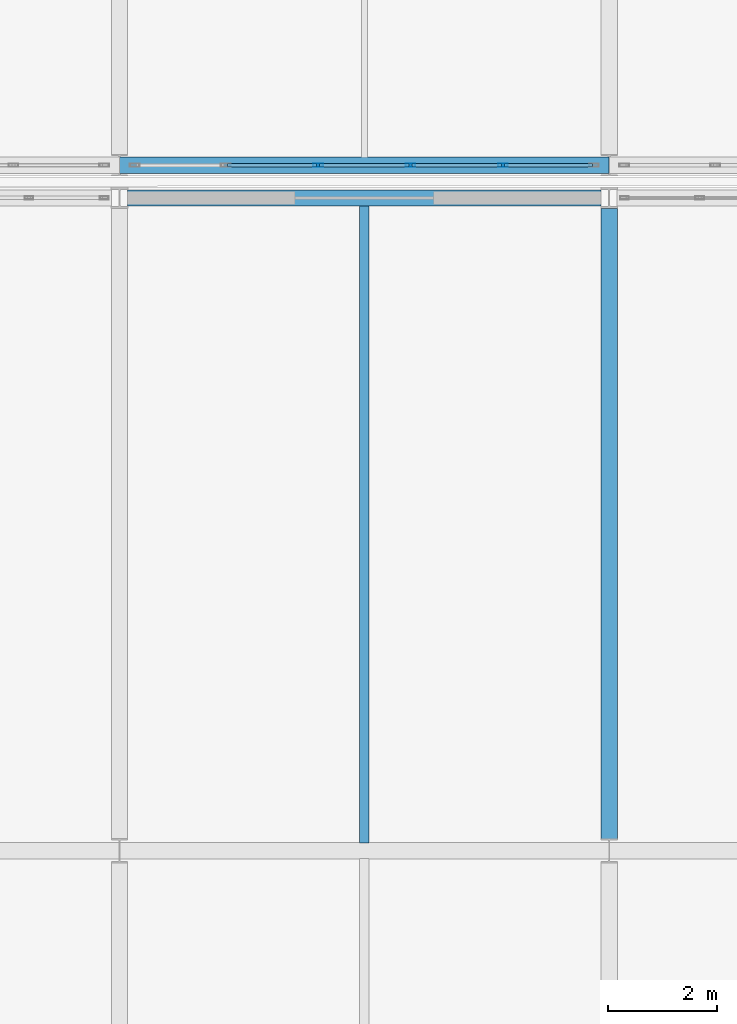
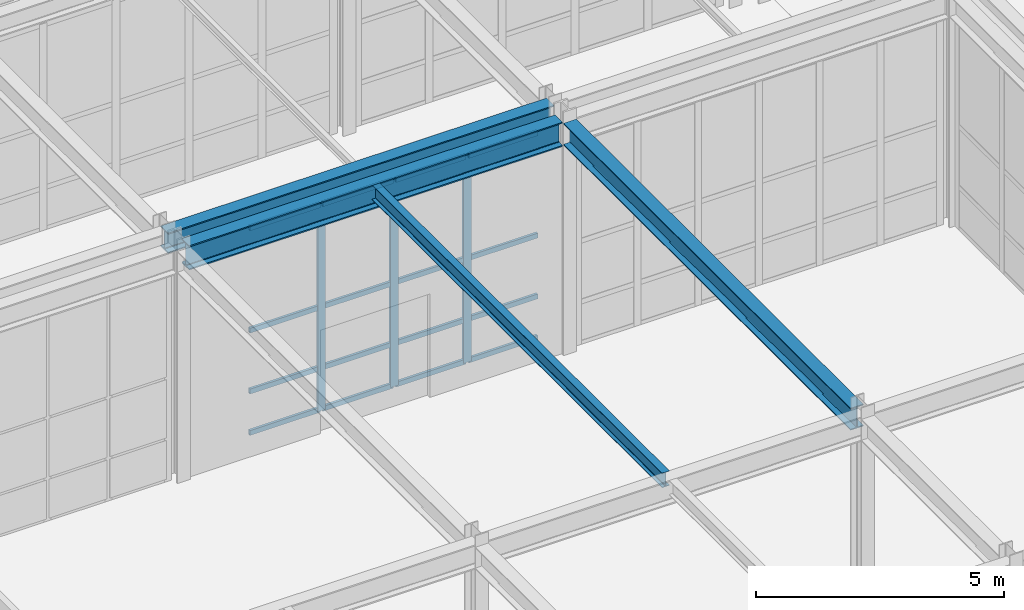
# One storey, part 44 of 146: 19 members, 4 beams, 1 element without a shape of its own.
"""IFC4 building model written with IfcOpenShell, lengths in metres."""

from ifc_helpers import new_model, si_unit, direction, frame, origin, origin_2d, place, context, subcontext, project, spatial, hollow_rectangle, i_section, extrude, material, material_profile, profile_set, type_object, element, aggregate, save


model = new_model("IFC4")

# Units and contexts
model_context = context("Model", 3, precision=1e-05, world=origin(), true_north=direction((0.0, 1.0)))
body_context = subcontext(model_context, "Body", "Model", "MODEL_VIEW")
ifc_project = project(units=[si_unit("LENGTHUNIT", "METRE"), si_unit("AREAUNIT", "SQUARE_METRE"), si_unit("VOLUMEUNIT", "CUBIC_METRE"), si_unit("PLANEANGLEUNIT", "RADIAN"), si_unit("MASSUNIT", "GRAM", prefix="KILO")], contexts=[model_context])

# Site, building, storey
site_placement = place(None, origin())
site = spatial("IfcSite", under=ifc_project, at=site_placement, CompositionType="ELEMENT")
building_placement = place(site_placement, origin())
building = spatial("IfcBuilding", under=site, at=building_placement, Name="Kaldris Quays Convention Centre", CompositionType="ELEMENT")
storey_placement = place(building_placement, origin())
storey = spatial("IfcBuildingStorey", under=building, at=storey_placement, Name="L00", CompositionType="ELEMENT", Elevation=0.0)

# Curtain wall, members
ifc_material_1 = material(Name="Anodized aluminium AW-6060 and triple glazing", Category="aluminium")
curtain_wall_type = type_object("IfcCurtainWallType", Name="UNITISED CURTAIN WALL CW02", PredefinedType="NOTDEFINED", material=ifc_material_1)
curtain_wall_placement = place(storey_placement, origin())
curtain_wall = element("IfcCurtainWall", 1, at=curtain_wall_placement, inside=storey, type_object=curtain_wall_type, Name="L00 Unitised Curtain Wall CW02 86", PredefinedType="NOTDEFINED")
ifc_material_2 = material(Name="Anodized aluminium AW-6060", Category="aluminium")
ifc_material_profile_1 = material_profile(ifc_material_2, hollow_rectangle(XDim=0.06005859375, YDim=0.179931640625, WallThickness=0.0048828125, at=origin_2d()), Name="RHS 180x60x5")
ifc_profile_set_1 = profile_set([ifc_material_profile_1], Name="Anodized aluminium AW-6060")
member_type_1 = type_object("IfcMemberType", Name="CURTAIN MULLION CWM2", PredefinedType="MULLION", material=ifc_profile_set_1)
member_1_placement = place(storey_placement, frame((68.64990234375, 46.60009765625, 0.0), z_axis=(0.0, 0.0, 1.0), x_axis=(0.0, 1.0, 0.0)))
member_1 = element("IfcMember", 2, at=member_1_placement, type_object=member_type_1, Name="CW02 mullion 3", PredefinedType="MULLION", context=body_context, shape_type="SweptSolid", body=[
    extrude(hollow_rectangle(XDim=0.06005859375, YDim=0.179931640625, WallThickness=0.0048828125, at=origin_2d()), origin(), (0.0, 0.0, 1.0), 5.10009765625),
])
member_2_placement = place(storey_placement, frame((70.35009765625, 46.60009765625, 0.0), z_axis=(0.0, 0.0, 1.0), x_axis=(0.0, 1.0, 0.0)))
member_2 = element("IfcMember", 3, at=member_2_placement, type_object=member_type_1, Name="CW02 mullion 4", PredefinedType="MULLION", context=body_context, shape_type="SweptSolid", body=[
    extrude(hollow_rectangle(XDim=0.06005859375, YDim=0.179931640625, WallThickness=0.0048828125, at=origin_2d()), origin(), (0.0, 0.0, 1.0), 5.10009765625),
])
member_3_placement = place(storey_placement, frame((72.050048828125, 46.60009765625, 0.0), z_axis=(0.0, 0.0, 1.0), x_axis=(0.0, 1.0, 0.0)))
member_3 = element("IfcMember", 4, at=member_3_placement, type_object=member_type_1, Name="CW02 mullion 5", PredefinedType="MULLION", context=body_context, shape_type="SweptSolid", body=[
    extrude(hollow_rectangle(XDim=0.06005859375, YDim=0.179931640625, WallThickness=0.0048828125, at=origin_2d()), origin(), (0.0, 0.0, 1.0), 5.10009765625),
])
ifc_material_profile_2 = material_profile(ifc_material_2, hollow_rectangle(XDim=0.06005859375, YDim=0.1201171875, WallThickness=0.00390625, at=origin_2d()), Name="RHS 120x60x4")
ifc_profile_set_2 = profile_set([ifc_material_profile_2], Name="Anodized aluminium AW-6060")
member_type_2 = type_object("IfcMemberType", Name="CURTAIN TRANSOM CWT1", PredefinedType="USERDEFINED", material=ifc_profile_set_2)
member_4_placement = place(storey_placement, frame((66.97998046875, 46.60009765625, 0.030029296875), z_axis=(1.0, 0.0, 0.0), x_axis=(0.0, 1.0, 0.0)))
member_4 = element("IfcMember", 5, at=member_4_placement, type_object=member_type_2, Name="CW02 transom 2.1", ObjectType="TRANSOM", PredefinedType="USERDEFINED", context=body_context, shape_type="SweptSolid", body=[
    extrude(hollow_rectangle(XDim=0.06005859375, YDim=0.1201171875, WallThickness=0.00390625, at=origin_2d()), origin(), (0.0, 0.0, 1.0), 1.64013671875),
])
member_5_placement = place(storey_placement, frame((66.97998046875, 46.60009765625, 1.050048828125), z_axis=(1.0, 0.0, 0.0), x_axis=(0.0, 1.0, 0.0)))
member_5 = element("IfcMember", 6, at=member_5_placement, type_object=member_type_2, Name="CW02 transom 2.2", ObjectType="TRANSOM", PredefinedType="USERDEFINED", context=body_context, shape_type="SweptSolid", body=[
    extrude(hollow_rectangle(XDim=0.06005859375, YDim=0.1201171875, WallThickness=0.00390625, at=origin_2d()), origin(), (0.0, 0.0, 1.0), 1.64013671875),
])
member_6_placement = place(storey_placement, frame((66.97998046875, 46.60009765625, 2.550048828125), z_axis=(1.0, 0.0, 0.0), x_axis=(0.0, 1.0, 0.0)))
member_6 = element("IfcMember", 7, at=member_6_placement, type_object=member_type_2, Name="CW02 transom 2.3", ObjectType="TRANSOM", PredefinedType="USERDEFINED", context=body_context, shape_type="SweptSolid", body=[
    extrude(hollow_rectangle(XDim=0.06005859375, YDim=0.1201171875, WallThickness=0.00390625, at=origin_2d()), origin(), (0.0, 0.0, 1.0), 1.64013671875),
])
member_7_placement = place(storey_placement, frame((66.97998046875, 46.60009765625, 5.070068359375), z_axis=(1.0, 0.0, 0.0), x_axis=(0.0, 1.0, 0.0)))
member_7 = element("IfcMember", 8, at=member_7_placement, type_object=member_type_2, Name="CW02 transom 2.4", ObjectType="TRANSOM", PredefinedType="USERDEFINED", context=body_context, shape_type="SweptSolid", body=[
    extrude(hollow_rectangle(XDim=0.06005859375, YDim=0.1201171875, WallThickness=0.00390625, at=origin_2d()), origin(), (0.0, 0.0, 1.0), 1.64013671875),
])
member_8_placement = place(storey_placement, frame((68.679931640625, 46.60009765625, 0.030029296875), z_axis=(1.0, 0.0, 0.0), x_axis=(0.0, 1.0, 0.0)))
member_8 = element("IfcMember", 9, at=member_8_placement, type_object=member_type_2, Name="CW02 transom 3.1", ObjectType="TRANSOM", PredefinedType="USERDEFINED", context=body_context, shape_type="SweptSolid", body=[
    extrude(hollow_rectangle(XDim=0.06005859375, YDim=0.1201171875, WallThickness=0.00390625, at=origin_2d()), origin(), (0.0, 0.0, 1.0), 1.64013671875),
])
member_9_placement = place(storey_placement, frame((68.679931640625, 46.60009765625, 1.050048828125), z_axis=(1.0, 0.0, 0.0), x_axis=(0.0, 1.0, 0.0)))
member_9 = element("IfcMember", 10, at=member_9_placement, type_object=member_type_2, Name="CW02 transom 3.2", ObjectType="TRANSOM", PredefinedType="USERDEFINED", context=body_context, shape_type="SweptSolid", body=[
    extrude(hollow_rectangle(XDim=0.06005859375, YDim=0.1201171875, WallThickness=0.00390625, at=origin_2d()), origin(), (0.0, 0.0, 1.0), 1.64013671875),
])
member_10_placement = place(storey_placement, frame((68.679931640625, 46.60009765625, 2.550048828125), z_axis=(1.0, 0.0, 0.0), x_axis=(0.0, 1.0, 0.0)))
member_10 = element("IfcMember", 11, at=member_10_placement, type_object=member_type_2, Name="CW02 transom 3.3", ObjectType="TRANSOM", PredefinedType="USERDEFINED", context=body_context, shape_type="SweptSolid", body=[
    extrude(hollow_rectangle(XDim=0.06005859375, YDim=0.1201171875, WallThickness=0.00390625, at=origin_2d()), origin(), (0.0, 0.0, 1.0), 1.64013671875),
])
member_11_placement = place(storey_placement, frame((68.679931640625, 46.60009765625, 5.070068359375), z_axis=(1.0, 0.0, 0.0), x_axis=(0.0, 1.0, 0.0)))
member_11 = element("IfcMember", 12, at=member_11_placement, type_object=member_type_2, Name="CW02 transom 3.4", ObjectType="TRANSOM", PredefinedType="USERDEFINED", context=body_context, shape_type="SweptSolid", body=[
    extrude(hollow_rectangle(XDim=0.06005859375, YDim=0.1201171875, WallThickness=0.00390625, at=origin_2d()), origin(), (0.0, 0.0, 1.0), 1.64013671875),
])
member_12_placement = place(storey_placement, frame((70.3798828125, 46.60009765625, 0.030029296875), z_axis=(1.0, 0.0, 0.0), x_axis=(0.0, 1.0, 0.0)))
member_12 = element("IfcMember", 13, at=member_12_placement, type_object=member_type_2, Name="CW02 transom 4.1", ObjectType="TRANSOM", PredefinedType="USERDEFINED", context=body_context, shape_type="SweptSolid", body=[
    extrude(hollow_rectangle(XDim=0.06005859375, YDim=0.1201171875, WallThickness=0.00390625, at=origin_2d()), origin(), (0.0, 0.0, 1.0), 1.64013671875),
])
member_13_placement = place(storey_placement, frame((70.3798828125, 46.60009765625, 1.050048828125), z_axis=(1.0, 0.0, 0.0), x_axis=(0.0, 1.0, 0.0)))
member_13 = element("IfcMember", 14, at=member_13_placement, type_object=member_type_2, Name="CW02 transom 4.2", ObjectType="TRANSOM", PredefinedType="USERDEFINED", context=body_context, shape_type="SweptSolid", body=[
    extrude(hollow_rectangle(XDim=0.06005859375, YDim=0.1201171875, WallThickness=0.00390625, at=origin_2d()), origin(), (0.0, 0.0, 1.0), 1.64013671875),
])
member_14_placement = place(storey_placement, frame((70.3798828125, 46.60009765625, 2.550048828125), z_axis=(1.0, 0.0, 0.0), x_axis=(0.0, 1.0, 0.0)))
member_14 = element("IfcMember", 15, at=member_14_placement, type_object=member_type_2, Name="CW02 transom 4.3", ObjectType="TRANSOM", PredefinedType="USERDEFINED", context=body_context, shape_type="SweptSolid", body=[
    extrude(hollow_rectangle(XDim=0.06005859375, YDim=0.1201171875, WallThickness=0.00390625, at=origin_2d()), origin(), (0.0, 0.0, 1.0), 1.64013671875),
])
member_15_placement = place(storey_placement, frame((70.3798828125, 46.60009765625, 5.070068359375), z_axis=(1.0, 0.0, 0.0), x_axis=(0.0, 1.0, 0.0)))
member_15 = element("IfcMember", 16, at=member_15_placement, type_object=member_type_2, Name="CW02 transom 4.4", ObjectType="TRANSOM", PredefinedType="USERDEFINED", context=body_context, shape_type="SweptSolid", body=[
    extrude(hollow_rectangle(XDim=0.06005859375, YDim=0.1201171875, WallThickness=0.00390625, at=origin_2d()), origin(), (0.0, 0.0, 1.0), 1.64013671875),
])
member_16_placement = place(storey_placement, frame((72.080078125, 46.60009765625, 0.030029296875), z_axis=(1.0, 0.0, 0.0), x_axis=(0.0, 1.0, 0.0)))
member_16 = element("IfcMember", 17, at=member_16_placement, type_object=member_type_2, Name="CW02 transom 5.1", ObjectType="TRANSOM", PredefinedType="USERDEFINED", context=body_context, shape_type="SweptSolid", body=[
    extrude(hollow_rectangle(XDim=0.06005859375, YDim=0.1201171875, WallThickness=0.00390625, at=origin_2d()), origin(), (0.0, 0.0, 1.0), 1.60986328125),
])
member_17_placement = place(storey_placement, frame((72.080078125, 46.60009765625, 1.050048828125), z_axis=(1.0, 0.0, 0.0), x_axis=(0.0, 1.0, 0.0)))
member_17 = element("IfcMember", 18, at=member_17_placement, type_object=member_type_2, Name="CW02 transom 5.2", ObjectType="TRANSOM", PredefinedType="USERDEFINED", context=body_context, shape_type="SweptSolid", body=[
    extrude(hollow_rectangle(XDim=0.06005859375, YDim=0.1201171875, WallThickness=0.00390625, at=origin_2d()), origin(), (0.0, 0.0, 1.0), 1.60986328125),
])
member_18_placement = place(storey_placement, frame((72.080078125, 46.60009765625, 2.550048828125), z_axis=(1.0, 0.0, 0.0), x_axis=(0.0, 1.0, 0.0)))
member_18 = element("IfcMember", 19, at=member_18_placement, type_object=member_type_2, Name="CW02 transom 5.3", ObjectType="TRANSOM", PredefinedType="USERDEFINED", context=body_context, shape_type="SweptSolid", body=[
    extrude(hollow_rectangle(XDim=0.06005859375, YDim=0.1201171875, WallThickness=0.00390625, at=origin_2d()), origin(), (0.0, 0.0, 1.0), 1.60986328125),
])
member_19_placement = place(storey_placement, frame((72.080078125, 46.60009765625, 5.070068359375), z_axis=(1.0, 0.0, 0.0), x_axis=(0.0, 1.0, 0.0)))
member_19 = element("IfcMember", 20, at=member_19_placement, type_object=member_type_2, Name="CW02 transom 5.4", ObjectType="TRANSOM", PredefinedType="USERDEFINED", context=body_context, shape_type="SweptSolid", body=[
    extrude(hollow_rectangle(XDim=0.06005859375, YDim=0.1201171875, WallThickness=0.00390625, at=origin_2d()), origin(), (0.0, 0.0, 1.0), 1.60986328125),
])
aggregate(curtain_wall, [member_1, member_2, member_3, member_4, member_5, member_6, member_7, member_8, member_9, member_10, member_11, member_12, member_13, member_14, member_15, member_16, member_17, member_18, member_19])

# Beams
ifc_material_3 = material(Name="Steel S355J2", Category="steel")
ifc_material_profile_3 = material_profile(ifc_material_3, i_section(OverallWidth=0.300048828125, OverallDepth=0.60009765625, WebThickness=0.015380859375, FlangeThickness=0.030029296875, FilletRadius=0.027099609375, at=origin_2d()), Name="HEB 600")
ifc_profile_set_3 = profile_set([ifc_material_profile_3], Name="Steel S355J2")
beam_type_1 = type_object("IfcBeamType", Name="STRUCTURAL BEAM BM05", PredefinedType="BEAM", material=ifc_profile_set_3)
beam_1_placement = place(storey_placement, frame((65.14794921875, 46.0, 5.423095703125), z_axis=(1.0, 0.0, 0.0), x_axis=(0.0, 1.0, 0.0)))
element("IfcBeam", 21, at=beam_1_placement, inside=storey, type_object=beam_type_1, Name="L00 Girder BM05 25", PredefinedType="BEAM", context=body_context, shape_type="SweptSolid", body=[
    extrude(i_section(OverallWidth=0.300048828125, OverallDepth=0.60009765625, WebThickness=0.015380859375, FlangeThickness=0.030029296875, FilletRadius=0.027099609375, at=origin_2d()), origin(), (0.0, 0.0, 1.0), 8.7041015625),
])
ifc_material_profile_4 = material_profile(ifc_material_3, i_section(OverallWidth=0.300048828125, OverallDepth=0.5, WebThickness=0.014404296875, FlangeThickness=0.028076171875, FilletRadius=0.027099609375, at=origin_2d()), Name="HEB 500")
ifc_profile_set_4 = profile_set([ifc_material_profile_4], Name="Steel S355J2")
beam_type_2 = type_object("IfcBeamType", Name="STRUCTURAL BEAM BM06", PredefinedType="BEAM", material=ifc_profile_set_4)
beam_2_placement = place(storey_placement, frame((64.99951171875, 46.60009765625, 5.472900390625), z_axis=(1.0, 0.0, 0.0), x_axis=(0.0, 1.0, 0.0)))
element("IfcBeam", 22, at=beam_2_placement, inside=storey, type_object=beam_type_2, Name="L00 Girder BM06 5", PredefinedType="BEAM", context=body_context, shape_type="SweptSolid", body=[
    extrude(i_section(OverallWidth=0.300048828125, OverallDepth=0.5, WebThickness=0.014404296875, FlangeThickness=0.028076171875, FilletRadius=0.027099609375, at=origin_2d()), origin(), (0.0, 0.0, 1.0), 9.0009765625),
])
ifc_material_profile_5 = material_profile(ifc_material_3, i_section(OverallWidth=0.300048828125, OverallDepth=0.5400390625, WebThickness=0.012451171875, FlangeThickness=0.02392578125, FilletRadius=0.027099609375, at=origin_2d()), Name="HEA 550")
ifc_profile_set_5 = profile_set([ifc_material_profile_5], Name="Steel S355J2")
beam_type_3 = type_object("IfcBeamType", Name="STRUCTURAL BEAM BM13", PredefinedType="BEAM", material=ifc_profile_set_5)
beam_3_placement = place(storey_placement, frame((74.0, 34.218994140625, 5.452880859375), z_axis=(0.0, 1.0, 0.0), x_axis=(-1.0, 0.0, 0.0)))
element("IfcBeam", 23, at=beam_3_placement, inside=storey, type_object=beam_type_3, Name="L00 Girder BM13 43", PredefinedType="BEAM", context=body_context, shape_type="SweptSolid", body=[
    extrude(i_section(OverallWidth=0.300048828125, OverallDepth=0.5400390625, WebThickness=0.012451171875, FlangeThickness=0.02392578125, FilletRadius=0.027099609375, at=origin_2d()), origin(), (0.0, 0.0, 1.0), 11.589599609375),
])
ifc_material_profile_6 = material_profile(ifc_material_3, i_section(OverallWidth=0.169921875, OverallDepth=0.360107421875, WebThickness=0.008056640625, FlangeThickness=0.0126953125, FilletRadius=0.01806640625, at=origin_2d()), Name="IPE 360")
ifc_profile_set_6 = profile_set([ifc_material_profile_6], Name="Steel S355J2")
beam_type_4 = type_object("IfcBeamType", Name="STRUCTURAL BEAM JT03", PredefinedType="JOIST", material=ifc_profile_set_6)
beam_4_placement = place(storey_placement, frame((69.5, 34.14404296875, 5.54296875), z_axis=(0.0, 1.0, 0.0), x_axis=(-1.0, 0.0, 0.0)))
element("IfcBeam", 24, at=beam_4_placement, inside=storey, type_object=beam_type_4, Name="L00 Secondary Joist JT03 9", PredefinedType="JOIST", context=body_context, shape_type="SweptSolid", body=[
    extrude(i_section(OverallWidth=0.169921875, OverallDepth=0.360107421875, WebThickness=0.008056640625, FlangeThickness=0.0126953125, FilletRadius=0.01806640625, at=origin_2d()), origin(), (0.0, 0.0, 1.0), 11.7119140625),
])

save(model, "model.ifc")
